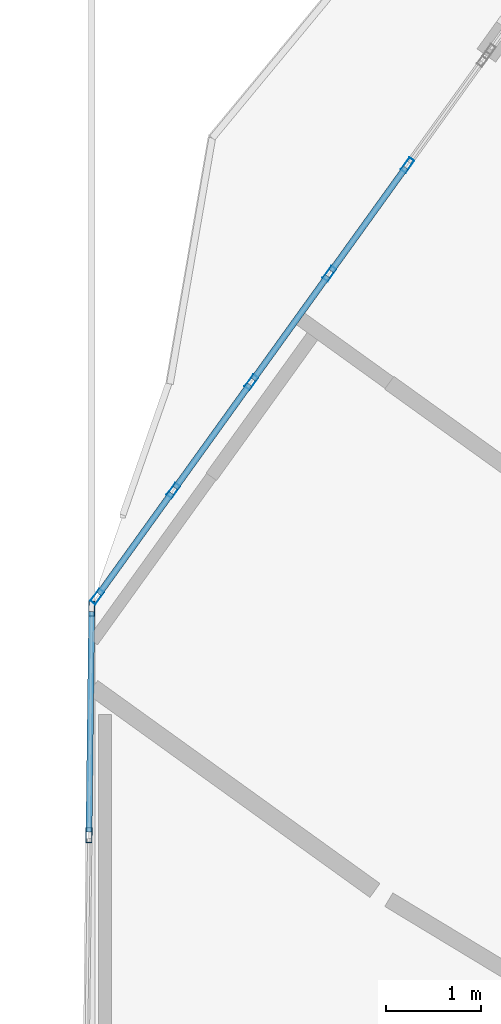
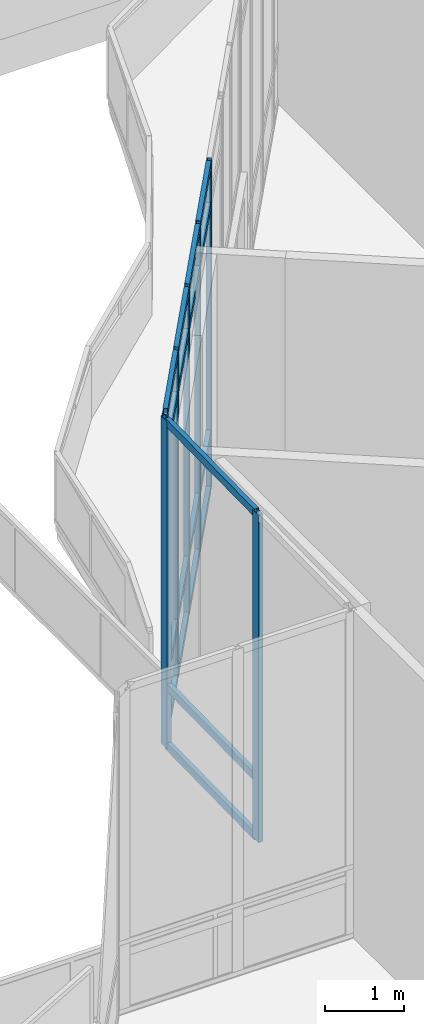
# One storey, part 22 of 158: 26 members, 2 elements without a shape of their own.
"""IFC4 building model written with IfcOpenShell, lengths in metres."""

from ifc_helpers import new_model, si_unit, direction, frame, origin, origin_2d, place, context, subcontext, project, spatial, hollow_rectangle, extrude, material, material_profile, profile_set, type_object, element, aggregate, save


model = new_model("IFC4")

# Units and contexts
model_context = context("Model", 3, precision=1e-05, world=origin(), true_north=direction((0.0, 1.0)))
body_context = subcontext(model_context, "Body", "Model", "MODEL_VIEW")
ifc_project = project(units=[si_unit("LENGTHUNIT", "METRE"), si_unit("AREAUNIT", "SQUARE_METRE"), si_unit("VOLUMEUNIT", "CUBIC_METRE"), si_unit("PLANEANGLEUNIT", "RADIAN"), si_unit("MASSUNIT", "GRAM", prefix="KILO")], contexts=[model_context])

# Site, building, storey
site_placement = place(None, origin())
site = spatial("IfcSite", under=ifc_project, at=site_placement, CompositionType="ELEMENT")
building_placement = place(site_placement, origin())
building = spatial("IfcBuilding", under=site, at=building_placement, Name="Selatvlak General Hospital", CompositionType="ELEMENT")
storey_placement = place(building_placement, origin())
storey = spatial("IfcBuildingStorey", under=building, at=storey_placement, Name="L00", CompositionType="ELEMENT", Elevation=0.0)

# Curtain wall, members
ifc_material_1 = material(Name="Solar-control Low-E double glazing", Category="glass")
curtain_wall_type = type_object("IfcCurtainWallType", Name="CW-CW-01", PredefinedType="USERDEFINED", material=ifc_material_1)
curtain_wall_1_placement = place(storey_placement, origin())
curtain_wall_1 = element("IfcCurtainWall", 1, at=curtain_wall_1_placement, inside=storey, type_object=curtain_wall_type, Name="Glazed facade curtain wall CW-L00-0065", ObjectType="UNITISED CURTAIN WALL", PredefinedType="USERDEFINED")
ifc_material_2 = material(Name="Dark anodised aluminium mullion", Category="aluminium")
ifc_material_profile_1 = material_profile(ifc_material_2, hollow_rectangle(XDim=0.06494140625, YDim=0.159912109375, WallThickness=0.00390625, at=origin_2d()), Name="AL-MUL 65x160x4")
ifc_profile_set_1 = profile_set([ifc_material_profile_1], Name="Dark anodised aluminium mullion")
member_type_1 = type_object("IfcMemberType", Name="CWM-01", PredefinedType="MULLION", material=ifc_profile_set_1)
member_1_placement = place(storey_placement, frame((22.7705078125, 34.478515625, 0.0), z_axis=(0.0, 0.0, 1.0), x_axis=(-0.999925308571, 0.012221999835, 0.0)))
member_1 = element("IfcMember", 2, at=member_1_placement, type_object=member_type_1, Name="CW-01 mullion 2", PredefinedType="MULLION", context=body_context, shape_type="SweptSolid", body=[
    extrude(hollow_rectangle(XDim=0.06494140625, YDim=0.159912109375, WallThickness=0.00390625, at=origin_2d()), origin(), (0.0, 0.0, 1.0), 5.080078125),
])
member_2_placement = place(storey_placement, frame((22.799560546875, 36.859619140625, 0.0), z_axis=(0.0, 0.0, 1.0), x_axis=(-0.999925308571, 0.012221999835, 0.0)))
member_2 = element("IfcMember", 3, at=member_2_placement, type_object=member_type_1, Name="CW-01 mullion 3", PredefinedType="MULLION", context=body_context, shape_type="SweptSolid", body=[
    extrude(hollow_rectangle(XDim=0.06494140625, YDim=0.159912109375, WallThickness=0.00390625, at=origin_2d()), origin(), (0.0, 0.0, 1.0), 5.080078125),
])

curtain_wall_2_placement = place(storey_placement, origin())
curtain_wall_2 = element("IfcCurtainWall", 4, at=curtain_wall_2_placement, inside=storey, type_object=curtain_wall_type, Name="Glazed facade curtain wall CW-L00-0067", ObjectType="UNITISED CURTAIN WALL", PredefinedType="USERDEFINED")
member_3_placement = place(storey_placement, frame((22.85693359375, 36.986328125, 0.0), z_axis=(0.0, 0.0, 1.0), x_axis=(-0.81180439095, 0.583929474196, 0.0)))
member_3 = element("IfcMember", 5, at=member_3_placement, type_object=member_type_1, Name="CW-01 mullion 1", PredefinedType="MULLION", context=body_context, shape_type="SweptSolid", body=[
    extrude(hollow_rectangle(XDim=0.06494140625, YDim=0.159912109375, WallThickness=0.00390625, at=origin_2d()), origin(), (0.0, 0.0, 1.0), 5.080078125),
])
member_4_placement = place(storey_placement, frame((23.657958984375, 38.10009765625, 0.0), z_axis=(0.0, 0.0, 1.0), x_axis=(-0.81180439095, 0.583929474196, 0.0)))
member_4 = element("IfcMember", 6, at=member_4_placement, type_object=member_type_1, Name="CW-01 mullion 2", PredefinedType="MULLION", context=body_context, shape_type="SweptSolid", body=[
    extrude(hollow_rectangle(XDim=0.06494140625, YDim=0.159912109375, WallThickness=0.00390625, at=origin_2d()), origin(), (0.0, 0.0, 1.0), 5.080078125),
])
member_5_placement = place(storey_placement, frame((24.47802734375, 39.239990234375, 0.0), z_axis=(0.0, 0.0, 1.0), x_axis=(-0.81180439095, 0.583929474196, 0.0)))
member_5 = element("IfcMember", 7, at=member_5_placement, type_object=member_type_1, Name="CW-01 mullion 3", PredefinedType="MULLION", context=body_context, shape_type="SweptSolid", body=[
    extrude(hollow_rectangle(XDim=0.06494140625, YDim=0.159912109375, WallThickness=0.00390625, at=origin_2d()), origin(), (0.0, 0.0, 1.0), 5.080078125),
])
member_6_placement = place(storey_placement, frame((25.298095703125, 40.3798828125, 0.0), z_axis=(0.0, 0.0, 1.0), x_axis=(-0.81180439095, 0.583929474196, 0.0)))
member_6 = element("IfcMember", 8, at=member_6_placement, type_object=member_type_1, Name="CW-01 mullion 4", PredefinedType="MULLION", context=body_context, shape_type="SweptSolid", body=[
    extrude(hollow_rectangle(XDim=0.06494140625, YDim=0.159912109375, WallThickness=0.00390625, at=origin_2d()), origin(), (0.0, 0.0, 1.0), 5.080078125),
])
member_7_placement = place(storey_placement, frame((26.117919921875, 41.52001953125, 0.0), z_axis=(0.0, 0.0, 1.0), x_axis=(-0.81180439095, 0.583929474196, 0.0)))
member_7 = element("IfcMember", 9, at=member_7_placement, type_object=member_type_1, Name="CW-01 mullion 5", PredefinedType="MULLION", context=body_context, shape_type="SweptSolid", body=[
    extrude(hollow_rectangle(XDim=0.06494140625, YDim=0.159912109375, WallThickness=0.00390625, at=origin_2d()), origin(), (0.0, 0.0, 1.0), 5.080078125),
])

# Member
ifc_material_profile_2 = material_profile(ifc_material_2, hollow_rectangle(XDim=0.06494140625, YDim=0.1201171875, WallThickness=0.00390625, at=origin_2d()), Name="AL-TRN 65x120x4")
ifc_profile_set_2 = profile_set([ifc_material_profile_2], Name="Dark anodised aluminium mullion")
member_type_2 = type_object("IfcMemberType", Name="CWT-01", PredefinedType="USERDEFINED", material=ifc_profile_set_2)
member_8_placement = place(storey_placement, frame((22.77099609375, 34.510986328125, 0.032470703125), z_axis=(0.012227633123, 0.9999252397, 0.0), x_axis=(-0.9999252397, 0.012227633123, 0.0)))
member_8 = element("IfcMember", 10, at=member_8_placement, type_object=member_type_2, Name="CW-01 transom 2.1", ObjectType="TRANSOM", PredefinedType="USERDEFINED", context=body_context, shape_type="SweptSolid", body=[
    extrude(hollow_rectangle(XDim=0.06494140625, YDim=0.1201171875, WallThickness=0.00390625, at=origin_2d()), origin(), (0.0, 0.0, 1.0), 2.316162109375),
])

member_9_placement = place(storey_placement, frame((22.77099609375, 34.510986328125, 0.949951171875), z_axis=(0.012227633123, 0.9999252397, 0.0), x_axis=(-0.9999252397, 0.012227633123, 0.0)))
member_9 = element("IfcMember", 11, at=member_9_placement, type_object=member_type_2, Name="CW-01 transom 2.2", ObjectType="TRANSOM", PredefinedType="USERDEFINED", context=body_context, shape_type="SweptSolid", body=[
    extrude(hollow_rectangle(XDim=0.06494140625, YDim=0.1201171875, WallThickness=0.00390625, at=origin_2d()), origin(), (0.0, 0.0, 1.0), 2.316162109375),
])

member_10_placement = place(storey_placement, frame((22.77099609375, 34.510986328125, 5.047607421875), z_axis=(0.012227633123, 0.9999252397, 0.0), x_axis=(-0.9999252397, 0.012227633123, 0.0)))
member_10 = element("IfcMember", 12, at=member_10_placement, type_object=member_type_2, Name="CW-01 transom 2.3", ObjectType="TRANSOM", PredefinedType="USERDEFINED", context=body_context, shape_type="SweptSolid", body=[
    extrude(hollow_rectangle(XDim=0.06494140625, YDim=0.1201171875, WallThickness=0.00390625, at=origin_2d()), origin(), (0.0, 0.0, 1.0), 2.316162109375),
])

aggregate(curtain_wall_1, [member_1, member_2, member_8, member_9, member_10])

member_11_placement = place(storey_placement, frame((22.8759765625, 37.0126953125, 0.032470703125), z_axis=(0.583797710583, 0.811899152062, 0.0), x_axis=(-0.811899152062, 0.583797710583, 0.0)))
member_11 = element("IfcMember", 13, at=member_11_placement, type_object=member_type_2, Name="CW-01 transom 1.1", ObjectType="TRANSOM", PredefinedType="USERDEFINED", context=body_context, shape_type="SweptSolid", body=[
    extrude(hollow_rectangle(XDim=0.06494140625, YDim=0.1201171875, WallThickness=0.00390625, at=origin_2d()), origin(), (0.0, 0.0, 1.0), 1.306884765625),
])

member_12_placement = place(storey_placement, frame((22.8759765625, 37.0126953125, 0.89990234375), z_axis=(0.583797710583, 0.811899152062, 0.0), x_axis=(-0.811899152062, 0.583797710583, 0.0)))
member_12 = element("IfcMember", 14, at=member_12_placement, type_object=member_type_2, Name="CW-01 transom 1.2", ObjectType="TRANSOM", PredefinedType="USERDEFINED", context=body_context, shape_type="SweptSolid", body=[
    extrude(hollow_rectangle(XDim=0.06494140625, YDim=0.1201171875, WallThickness=0.00390625, at=origin_2d()), origin(), (0.0, 0.0, 1.0), 1.306884765625),
])

member_13_placement = place(storey_placement, frame((22.8759765625, 37.0126953125, 4.429931640625), z_axis=(0.583797710583, 0.811899152062, 0.0), x_axis=(-0.811899152062, 0.583797710583, 0.0)))
member_13 = element("IfcMember", 15, at=member_13_placement, type_object=member_type_2, Name="CW-01 transom 1.3", ObjectType="TRANSOM", PredefinedType="USERDEFINED", context=body_context, shape_type="SweptSolid", body=[
    extrude(hollow_rectangle(XDim=0.06494140625, YDim=0.1201171875, WallThickness=0.00390625, at=origin_2d()), origin(), (0.0, 0.0, 1.0), 1.306884765625),
])

member_14_placement = place(storey_placement, frame((22.8759765625, 37.0126953125, 5.047607421875), z_axis=(0.583797710583, 0.811899152062, 0.0), x_axis=(-0.811899152062, 0.583797710583, 0.0)))
member_14 = element("IfcMember", 16, at=member_14_placement, type_object=member_type_2, Name="CW-01 transom 1.4", ObjectType="TRANSOM", PredefinedType="USERDEFINED", context=body_context, shape_type="SweptSolid", body=[
    extrude(hollow_rectangle(XDim=0.06494140625, YDim=0.1201171875, WallThickness=0.00390625, at=origin_2d()), origin(), (0.0, 0.0, 1.0), 1.306884765625),
])

member_15_placement = place(storey_placement, frame((23.677001953125, 38.12646484375, 0.032470703125), z_axis=(0.583925258596, 0.811807423206, 0.0), x_axis=(-0.811807423206, 0.583925258596, 0.0)))
member_15 = element("IfcMember", 17, at=member_15_placement, type_object=member_type_2, Name="CW-01 transom 2.1", ObjectType="TRANSOM", PredefinedType="USERDEFINED", context=body_context, shape_type="SweptSolid", body=[
    extrude(hollow_rectangle(XDim=0.06494140625, YDim=0.1201171875, WallThickness=0.00390625, at=origin_2d()), origin(), (0.0, 0.0, 1.0), 1.339111328125),
])

member_16_placement = place(storey_placement, frame((23.677001953125, 38.12646484375, 0.89990234375), z_axis=(0.583925258596, 0.811807423206, 0.0), x_axis=(-0.811807423206, 0.583925258596, 0.0)))
member_16 = element("IfcMember", 18, at=member_16_placement, type_object=member_type_2, Name="CW-01 transom 2.2", ObjectType="TRANSOM", PredefinedType="USERDEFINED", context=body_context, shape_type="SweptSolid", body=[
    extrude(hollow_rectangle(XDim=0.06494140625, YDim=0.1201171875, WallThickness=0.00390625, at=origin_2d()), origin(), (0.0, 0.0, 1.0), 1.339111328125),
])

member_17_placement = place(storey_placement, frame((23.677001953125, 38.12646484375, 4.429931640625), z_axis=(0.583925258596, 0.811807423206, 0.0), x_axis=(-0.811807423206, 0.583925258596, 0.0)))
member_17 = element("IfcMember", 19, at=member_17_placement, type_object=member_type_2, Name="CW-01 transom 2.3", ObjectType="TRANSOM", PredefinedType="USERDEFINED", context=body_context, shape_type="SweptSolid", body=[
    extrude(hollow_rectangle(XDim=0.06494140625, YDim=0.1201171875, WallThickness=0.00390625, at=origin_2d()), origin(), (0.0, 0.0, 1.0), 1.339111328125),
])

member_18_placement = place(storey_placement, frame((23.677001953125, 38.12646484375, 5.047607421875), z_axis=(0.583925258596, 0.811807423206, 0.0), x_axis=(-0.811807423206, 0.583925258596, 0.0)))
member_18 = element("IfcMember", 20, at=member_18_placement, type_object=member_type_2, Name="CW-01 transom 2.4", ObjectType="TRANSOM", PredefinedType="USERDEFINED", context=body_context, shape_type="SweptSolid", body=[
    extrude(hollow_rectangle(XDim=0.06494140625, YDim=0.1201171875, WallThickness=0.00390625, at=origin_2d()), origin(), (0.0, 0.0, 1.0), 1.339111328125),
])

member_19_placement = place(storey_placement, frame((24.4970703125, 39.266357421875, 0.032470703125), z_axis=(0.583925258596, 0.811807423206, 0.0), x_axis=(-0.811807423206, 0.583925258596, 0.0)))
member_19 = element("IfcMember", 21, at=member_19_placement, type_object=member_type_2, Name="CW-01 transom 3.1", ObjectType="TRANSOM", PredefinedType="USERDEFINED", context=body_context, shape_type="SweptSolid", body=[
    extrude(hollow_rectangle(XDim=0.06494140625, YDim=0.1201171875, WallThickness=0.00390625, at=origin_2d()), origin(), (0.0, 0.0, 1.0), 1.339111328125),
])

member_20_placement = place(storey_placement, frame((24.4970703125, 39.266357421875, 0.89990234375), z_axis=(0.583925258596, 0.811807423206, 0.0), x_axis=(-0.811807423206, 0.583925258596, 0.0)))
member_20 = element("IfcMember", 22, at=member_20_placement, type_object=member_type_2, Name="CW-01 transom 3.2", ObjectType="TRANSOM", PredefinedType="USERDEFINED", context=body_context, shape_type="SweptSolid", body=[
    extrude(hollow_rectangle(XDim=0.06494140625, YDim=0.1201171875, WallThickness=0.00390625, at=origin_2d()), origin(), (0.0, 0.0, 1.0), 1.339111328125),
])

member_21_placement = place(storey_placement, frame((24.4970703125, 39.266357421875, 4.429931640625), z_axis=(0.583925258596, 0.811807423206, 0.0), x_axis=(-0.811807423206, 0.583925258596, 0.0)))
member_21 = element("IfcMember", 23, at=member_21_placement, type_object=member_type_2, Name="CW-01 transom 3.3", ObjectType="TRANSOM", PredefinedType="USERDEFINED", context=body_context, shape_type="SweptSolid", body=[
    extrude(hollow_rectangle(XDim=0.06494140625, YDim=0.1201171875, WallThickness=0.00390625, at=origin_2d()), origin(), (0.0, 0.0, 1.0), 1.339111328125),
])

member_22_placement = place(storey_placement, frame((24.4970703125, 39.266357421875, 5.047607421875), z_axis=(0.583925258596, 0.811807423206, 0.0), x_axis=(-0.811807423206, 0.583925258596, 0.0)))
member_22 = element("IfcMember", 24, at=member_22_placement, type_object=member_type_2, Name="CW-01 transom 3.4", ObjectType="TRANSOM", PredefinedType="USERDEFINED", context=body_context, shape_type="SweptSolid", body=[
    extrude(hollow_rectangle(XDim=0.06494140625, YDim=0.1201171875, WallThickness=0.00390625, at=origin_2d()), origin(), (0.0, 0.0, 1.0), 1.339111328125),
])

member_23_placement = place(storey_placement, frame((25.31689453125, 40.406494140625, 0.032470703125), z_axis=(0.584045384595, 0.811721004245, 0.0), x_axis=(-0.811721004245, 0.584045384595, 0.0)))
member_23 = element("IfcMember", 25, at=member_23_placement, type_object=member_type_2, Name="CW-01 transom 4.1", ObjectType="TRANSOM", PredefinedType="USERDEFINED", context=body_context, shape_type="SweptSolid", body=[
    extrude(hollow_rectangle(XDim=0.06494140625, YDim=0.1201171875, WallThickness=0.00390625, at=origin_2d()), origin(), (0.0, 0.0, 1.0), 1.33935546875),
])

member_24_placement = place(storey_placement, frame((25.31689453125, 40.406494140625, 0.89990234375), z_axis=(0.584045384595, 0.811721004245, 0.0), x_axis=(-0.811721004245, 0.584045384595, 0.0)))
member_24 = element("IfcMember", 26, at=member_24_placement, type_object=member_type_2, Name="CW-01 transom 4.2", ObjectType="TRANSOM", PredefinedType="USERDEFINED", context=body_context, shape_type="SweptSolid", body=[
    extrude(hollow_rectangle(XDim=0.06494140625, YDim=0.1201171875, WallThickness=0.00390625, at=origin_2d()), origin(), (0.0, 0.0, 1.0), 1.33935546875),
])

member_25_placement = place(storey_placement, frame((25.31689453125, 40.406494140625, 4.429931640625), z_axis=(0.584045384595, 0.811721004245, 0.0), x_axis=(-0.811721004245, 0.584045384595, 0.0)))
member_25 = element("IfcMember", 27, at=member_25_placement, type_object=member_type_2, Name="CW-01 transom 4.3", ObjectType="TRANSOM", PredefinedType="USERDEFINED", context=body_context, shape_type="SweptSolid", body=[
    extrude(hollow_rectangle(XDim=0.06494140625, YDim=0.1201171875, WallThickness=0.00390625, at=origin_2d()), origin(), (0.0, 0.0, 1.0), 1.33935546875),
])

member_26_placement = place(storey_placement, frame((25.31689453125, 40.406494140625, 5.047607421875), z_axis=(0.584045384595, 0.811721004245, 0.0), x_axis=(-0.811721004245, 0.584045384595, 0.0)))
member_26 = element("IfcMember", 28, at=member_26_placement, type_object=member_type_2, Name="CW-01 transom 4.4", ObjectType="TRANSOM", PredefinedType="USERDEFINED", context=body_context, shape_type="SweptSolid", body=[
    extrude(hollow_rectangle(XDim=0.06494140625, YDim=0.1201171875, WallThickness=0.00390625, at=origin_2d()), origin(), (0.0, 0.0, 1.0), 1.33935546875),
])

aggregate(curtain_wall_2, [member_3, member_4, member_5, member_6, member_7, member_11, member_12, member_13, member_14, member_15, member_16, member_17, member_18, member_19, member_20, member_21, member_22, member_23, member_24, member_25, member_26])

save(model, "model.ifc")
